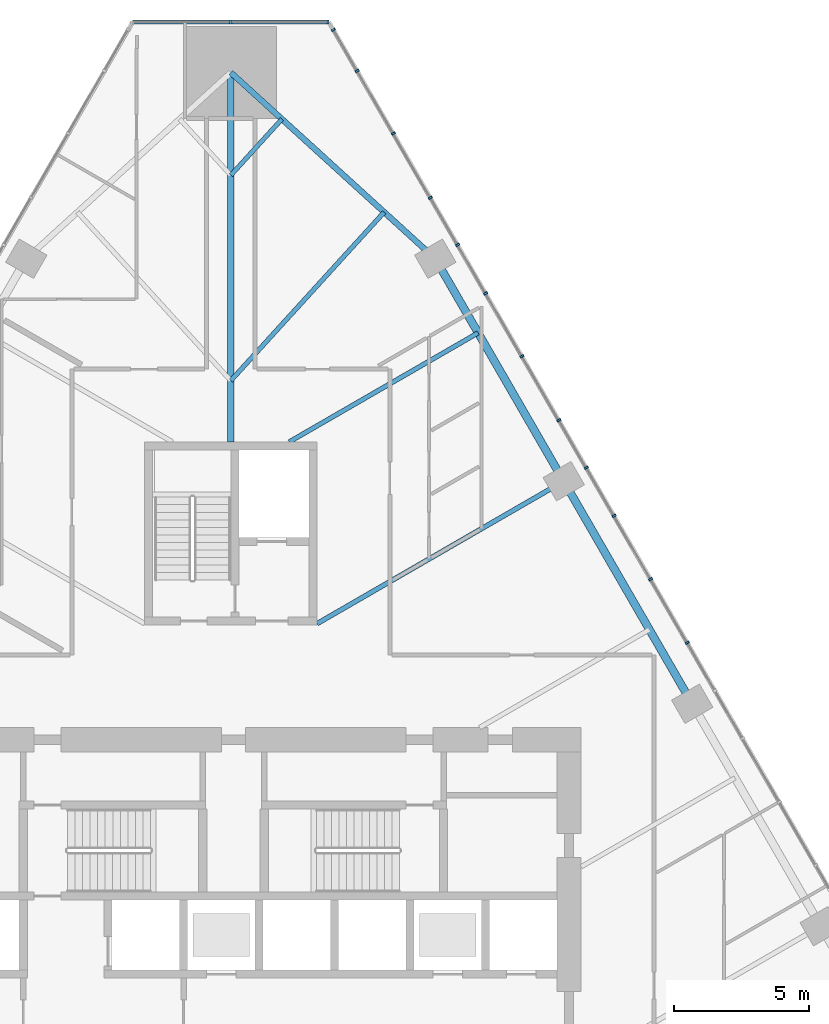
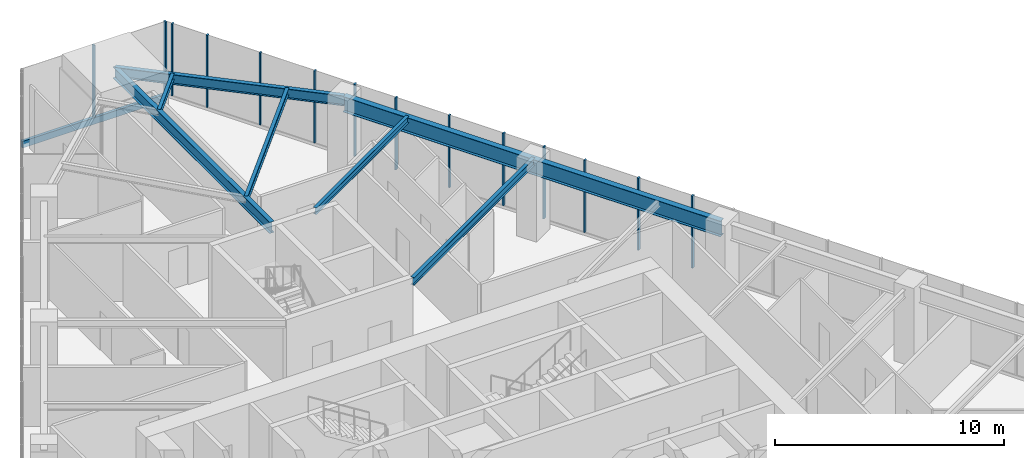
# One storey, part 11 of 26: 15 members, 7 beams, 2 elements without a shape of their own.
"""IFC4 building model written with IfcOpenShell, lengths in metres."""

from ifc_helpers import new_model, si_unit, direction, frame, origin, origin_2d, place, context, subcontext, project, spatial, rectangle, i_section, extrude, material, layer, layer_set, material_profile, profile_set, type_object, element, aggregate, save


model = new_model("IFC4")

# Units and contexts
model_context = context("Model", 3, precision=1e-05, world=origin(), true_north=direction((0.0, 1.0)))
body_context = subcontext(model_context, "Body", "Model", "MODEL_VIEW")
ifc_project = project(units=[si_unit("LENGTHUNIT", "METRE"), si_unit("AREAUNIT", "SQUARE_METRE"), si_unit("VOLUMEUNIT", "CUBIC_METRE"), si_unit("PLANEANGLEUNIT", "RADIAN"), si_unit("MASSUNIT", "GRAM", prefix="KILO")], contexts=[model_context])

# Site, building, storey
site_placement = place(None, origin())
site = spatial("IfcSite", under=ifc_project, at=site_placement, CompositionType="ELEMENT")
building_placement = place(site_placement, origin())
building = spatial("IfcBuilding", under=site, at=building_placement, Name="Firuza Gate Tower and Library", CompositionType="ELEMENT")
storey_placement = place(building_placement, frame((0.0, 0.0, 65.199951171875)))
storey = spatial("IfcBuildingStorey", under=building, at=storey_placement, Name="L14", CompositionType="ELEMENT", Elevation=65.199951171875)

# Curtain wall, members
ifc_material_1 = material(Name="Aluminium 6063-T6", Category="aluminium")
ifc_layer_1 = layer(ifc_material_1, 0.14990234375)
ifc_layer_set_1 = layer_set([ifc_layer_1], Name="Unitised curtain wall, offices")
curtain_wall_type_1 = type_object("IfcCurtainWallType", Name="Unitised curtain wall, offices", PredefinedType="NOTDEFINED", material=ifc_layer_set_1)
placement = place(storey_placement, origin())
curtain_wall_1 = element("IfcCurtainWall", 1, at=placement, inside=storey, type_object=curtain_wall_type_1, Name="CW1 L14 E face", PredefinedType="NOTDEFINED")
ifc_material_2 = material(Name="Aluminium 6063-T6", Category="aluminium")
ifc_material_profile_1 = material_profile(ifc_material_2, rectangle(XDim=0.14990234375, YDim=0.080078125, at=origin_2d()))
ifc_profile_set_1 = profile_set([ifc_material_profile_1], Name="Aluminium 6063-T6")
member_type_1 = type_object("IfcMemberType", Name="Curtain wall mullion 80x150", PredefinedType="MULLION", material=ifc_profile_set_1)
member_1_placement = place(storey_placement, frame((90.579345703125, 89.5078125, 0.150146484375), z_axis=(0.0, 0.0, 1.0), x_axis=(-0.866025403784, -0.5, 0.0)))
member_1 = element("IfcMember", 2, at=member_1_placement, type_object=member_type_1, Name="Mullion", PredefinedType="MULLION", context=body_context, shape_type="SweptSolid", body=[
    extrude(rectangle(XDim=0.14990234375, YDim=0.080078125, at=origin_2d()), origin(), (0.0, 0.0, 1.0), 3.849853515625),
])
member_2_placement = place(storey_placement, frame((88.192138671875, 93.642578125, 0.150146484375), z_axis=(0.0, 0.0, 1.0), x_axis=(-0.866025403784, -0.5, 0.0)))
member_2 = element("IfcMember", 3, at=member_2_placement, type_object=member_type_1, Name="Mullion", PredefinedType="MULLION", context=body_context, shape_type="SweptSolid", body=[
    extrude(rectangle(XDim=0.14990234375, YDim=0.080078125, at=origin_2d()), origin(), (0.0, 0.0, 1.0), 3.849853515625),
])
member_3_placement = place(storey_placement, frame((85.804931640625, 97.77734375, 0.150146484375), z_axis=(0.0, 0.0, 1.0), x_axis=(-0.866025403784, -0.5, 0.0)))
member_3 = element("IfcMember", 4, at=member_3_placement, type_object=member_type_1, Name="Mullion", PredefinedType="MULLION", context=body_context, shape_type="SweptSolid", body=[
    extrude(rectangle(XDim=0.14990234375, YDim=0.080078125, at=origin_2d()), origin(), (0.0, 0.0, 1.0), 3.849853515625),
])
member_4_placement = place(storey_placement, frame((83.417724609375, 101.912109375, 0.150146484375), z_axis=(0.0, 0.0, 1.0), x_axis=(-0.866025403784, -0.5, 0.0)))
member_4 = element("IfcMember", 5, at=member_4_placement, type_object=member_type_1, Name="Mullion", PredefinedType="MULLION", context=body_context, shape_type="SweptSolid", body=[
    extrude(rectangle(XDim=0.14990234375, YDim=0.080078125, at=origin_2d()), origin(), (0.0, 0.0, 1.0), 3.849853515625),
])
member_5_placement = place(storey_placement, frame((81.030517578125, 106.047119140625, 0.150146484375), z_axis=(0.0, 0.0, 1.0), x_axis=(-0.866025403784, -0.5, 0.0)))
member_5 = element("IfcMember", 6, at=member_5_placement, type_object=member_type_1, Name="Mullion", PredefinedType="MULLION", context=body_context, shape_type="SweptSolid", body=[
    extrude(rectangle(XDim=0.14990234375, YDim=0.080078125, at=origin_2d()), origin(), (0.0, 0.0, 1.0), 3.849853515625),
])
member_6_placement = place(storey_placement, frame((91.94189453125, 87.148193359375, 0.150146484375), z_axis=(0.0, 0.0, 1.0), x_axis=(-0.866025403784, -0.5, 0.0)))
member_6 = element("IfcMember", 7, at=member_6_placement, type_object=member_type_1, Name="Mullion", PredefinedType="MULLION", context=body_context, shape_type="SweptSolid", body=[
    extrude(rectangle(XDim=0.14990234375, YDim=0.080078125, at=origin_2d()), origin(), (0.0, 0.0, 1.0), 3.849853515625),
])
member_7_placement = place(storey_placement, frame((89.224365234375, 91.85498046875, 0.150146484375), z_axis=(0.0, 0.0, 1.0), x_axis=(-0.866025403784, -0.5, 0.0)))
member_7 = element("IfcMember", 8, at=member_7_placement, type_object=member_type_1, Name="Mullion", PredefinedType="MULLION", context=body_context, shape_type="SweptSolid", body=[
    extrude(rectangle(XDim=0.14990234375, YDim=0.080078125, at=origin_2d()), origin(), (0.0, 0.0, 1.0), 3.849853515625),
])
member_8_placement = place(storey_placement, frame((87.174560546875, 95.4052734375, 0.150146484375), z_axis=(0.0, 0.0, 1.0), x_axis=(-0.866025403784, -0.5, 0.0)))
member_8 = element("IfcMember", 9, at=member_8_placement, type_object=member_type_1, Name="Mullion", PredefinedType="MULLION", context=body_context, shape_type="SweptSolid", body=[
    extrude(rectangle(XDim=0.14990234375, YDim=0.080078125, at=origin_2d()), origin(), (0.0, 0.0, 1.0), 3.849853515625),
])
member_9_placement = place(storey_placement, frame((84.45703125, 100.112060546875, 0.150146484375), z_axis=(0.0, 0.0, 1.0), x_axis=(-0.866025403784, -0.5, 0.0)))
member_9 = element("IfcMember", 10, at=member_9_placement, type_object=member_type_1, Name="Mullion", PredefinedType="MULLION", context=body_context, shape_type="SweptSolid", body=[
    extrude(rectangle(XDim=0.14990234375, YDim=0.080078125, at=origin_2d()), origin(), (0.0, 0.0, 1.0), 3.849853515625),
])
member_10_placement = place(storey_placement, frame((82.4072265625, 103.662353515625, 0.150146484375), z_axis=(0.0, 0.0, 1.0), x_axis=(-0.866025403784, -0.5, 0.0)))
member_10 = element("IfcMember", 11, at=member_10_placement, type_object=member_type_1, Name="Mullion", PredefinedType="MULLION", context=body_context, shape_type="SweptSolid", body=[
    extrude(rectangle(XDim=0.14990234375, YDim=0.080078125, at=origin_2d()), origin(), (0.0, 0.0, 1.0), 3.849853515625),
])
member_11_placement = place(storey_placement, frame((79.689697265625, 108.369140625, 0.150146484375), z_axis=(0.0, 0.0, 1.0), x_axis=(-0.866025403784, -0.5, 0.0)))
member_11 = element("IfcMember", 12, at=member_11_placement, type_object=member_type_1, Name="Mullion", PredefinedType="MULLION", context=body_context, shape_type="SweptSolid", body=[
    extrude(rectangle(XDim=0.14990234375, YDim=0.080078125, at=origin_2d()), origin(), (0.0, 0.0, 1.0), 3.849853515625),
])
member_12_placement = place(storey_placement, frame((78.808837890625, 109.89501953125, 0.150146484375), z_axis=(0.0, 0.0, 1.0), x_axis=(-0.866025403784, -0.5, 0.0)))
member_12 = element("IfcMember", 13, at=member_12_placement, type_object=member_type_1, Name="Mullion", PredefinedType="MULLION", context=body_context, shape_type="SweptSolid", body=[
    extrude(rectangle(XDim=0.14990234375, YDim=0.080078125, at=origin_2d()), origin(), (0.0, 0.0, 1.0), 3.849853515625),
])
aggregate(curtain_wall_1, [member_1, member_2, member_3, member_4, member_5, member_6, member_7, member_8, member_9, member_10, member_11, member_12])

ifc_material_3 = material(Name="Aluminium 6063-T6", Category="aluminium")
ifc_layer_2 = layer(ifc_material_3, 0.14990234375)
ifc_layer_set_2 = layer_set([ifc_layer_2], Name="Corner curtain wall, chamfers")
curtain_wall_type_2 = type_object("IfcCurtainWallType", Name="Corner curtain wall, chamfers", PredefinedType="NOTDEFINED", material=ifc_layer_set_2)
curtain_wall_2 = element("IfcCurtainWall", 14, at=placement, inside=storey, type_object=curtain_wall_type_2, Name="CW4 L14 N corner", PredefinedType="NOTDEFINED")
member_13_placement = place(storey_placement, frame((78.603271484375, 110.181884765625, 0.150146484375), z_axis=(0.0, 0.0, 1.0), x_axis=(0.0, -1.0, 0.0)))
member_13 = element("IfcMember", 15, at=member_13_placement, type_object=member_type_1, Name="Mullion", PredefinedType="MULLION", context=body_context, shape_type="SweptSolid", body=[
    extrude(rectangle(XDim=0.14990234375, YDim=0.080078125, at=origin_2d()), origin(), (0.0, 0.0, 1.0), 3.849853515625),
])
member_14_placement = place(storey_placement, frame((75.0, 110.181884765625, 0.150146484375), z_axis=(0.0, 0.0, 1.0), x_axis=(0.0, -1.0, 0.0)))
member_14 = element("IfcMember", 16, at=member_14_placement, type_object=member_type_1, Name="Mullion", PredefinedType="MULLION", context=body_context, shape_type="SweptSolid", body=[
    extrude(rectangle(XDim=0.14990234375, YDim=0.080078125, at=origin_2d()), origin(), (0.0, 0.0, 1.0), 3.849853515625),
])
ifc_material_4 = material(Name="Aluminium 6063-T6", Category="aluminium")
ifc_material_profile_2 = material_profile(ifc_material_4, rectangle(XDim=0.14990234375, YDim=0.35009765625, at=origin_2d()))
ifc_profile_set_2 = profile_set([ifc_material_profile_2], Name="Aluminium 6063-T6")
member_type_2 = type_object("IfcMemberType", Name="Curtain wall transom 350x150", PredefinedType="USERDEFINED", material=ifc_profile_set_2)
member_15_placement = place(storey_placement, frame((78.643310546875, 110.181884765625, -0.02490234375), z_axis=(-1.0, 0.0, 0.0), x_axis=(0.0, -1.0, 0.0)))
member_15 = element("IfcMember", 17, at=member_15_placement, type_object=member_type_2, Name="Transom", ObjectType="TRANSOM", PredefinedType="USERDEFINED", context=body_context, shape_type="SweptSolid", body=[
    extrude(rectangle(XDim=0.14990234375, YDim=0.35009765625, at=origin_2d()), origin(), (0.0, 0.0, 1.0), 7.28662109375),
])
aggregate(curtain_wall_2, [member_13, member_14, member_15])

# Beams
ifc_material_5 = material(Name="Steel S355", Category="steel")
ifc_material_profile_3 = material_profile(ifc_material_5, i_section(OverallWidth=0.1650390625, OverallDepth=0.31005859375, WebThickness=0.005859375, FlangeThickness=0.009765625, at=origin_2d()))
ifc_profile_set_3 = profile_set([ifc_material_profile_3], Name="Steel S355")
beam_type_1 = type_object("IfcBeamType", Name="W310x39 Floor beam", PredefinedType="JOIST", material=ifc_profile_set_3)
beam_1_placement = place(storey_placement, frame((76.89697265625, 106.580078125, 3.844970703125), z_axis=(-0.673146987304, -0.739508710891, 0.0), x_axis=(0.739508710891, -0.673146987304, 0.0)))
element("IfcBeam", 18, at=beam_1_placement, inside=storey, type_object=beam_type_1, Name="Floor beam L14 s61", PredefinedType="JOIST", context=body_context, shape_type="SweptSolid", body=[
    extrude(i_section(OverallWidth=0.1650390625, OverallDepth=0.31005859375, WebThickness=0.005859375, FlangeThickness=0.009765625, at=origin_2d()), origin(), (0.0, 0.0, 1.0), 2.818115234375),
])
ifc_material_6 = material(Name="Steel S355", Category="steel")
ifc_material_profile_4 = material_profile(ifc_material_6, i_section(OverallWidth=0.1708984375, OverallDepth=0.35498046875, WebThickness=0.007080078125, FlangeThickness=0.01171875, at=origin_2d()))
ifc_profile_set_4 = profile_set([ifc_material_profile_4], Name="Steel S355")
beam_type_2 = type_object("IfcBeamType", Name="W360x51 Floor beam", PredefinedType="JOIST", material=ifc_profile_set_4)
beam_2_placement = place(storey_placement, frame((84.177001953125, 98.6474609375, 3.822509765625), z_axis=(-0.8660258691, -0.499999194049, 0.0), x_axis=(0.499999194049, -0.8660258691, 0.0)))
element("IfcBeam", 19, at=beam_2_placement, inside=storey, type_object=beam_type_2, Name="Floor beam L14 s55", PredefinedType="JOIST", context=body_context, shape_type="SweptSolid", body=[
    extrude(i_section(OverallWidth=0.1708984375, OverallDepth=0.35498046875, WebThickness=0.007080078125, FlangeThickness=0.01171875, at=origin_2d()), origin(), (0.0, 0.0, 1.0), 8.0947265625),
])
beam_3_placement = place(storey_placement, frame((80.69091796875, 103.12646484375, 3.822509765625), z_axis=(-0.673161362913, -0.739495625059, 0.0), x_axis=(0.739495625059, -0.673161362913, 0.0)))
element("IfcBeam", 20, at=beam_3_placement, inside=storey, type_object=beam_type_2, Name="Floor beam L14 s60", PredefinedType="JOIST", context=body_context, shape_type="SweptSolid", body=[
    extrude(i_section(OverallWidth=0.1708984375, OverallDepth=0.35498046875, WebThickness=0.007080078125, FlangeThickness=0.01171875, at=origin_2d()), origin(), (0.0, 0.0, 1.0), 8.4541015625),
])
ifc_material_7 = material(Name="Steel S355", Category="steel")
ifc_material_profile_5 = material_profile(ifc_material_7, i_section(OverallWidth=0.177978515625, OverallDepth=0.406982421875, WebThickness=0.0078125, FlangeThickness=0.0126953125, at=origin_2d()))
ifc_profile_set_5 = profile_set([ifc_material_profile_5], Name="Steel S355")
beam_type_3 = type_object("IfcBeamType", Name="W410x60 Floor beam", PredefinedType="JOIST", material=ifc_profile_set_5)
beam_4_placement = place(storey_placement, frame((87.35498046875, 93.142578125, 3.796630859375), z_axis=(-0.866025981243, -0.499998999811, 0.0), x_axis=(0.499998999811, -0.866025981243, 0.0)))
element("IfcBeam", 21, at=beam_4_placement, inside=storey, type_object=beam_type_3, Name="Floor beam L14 s54", PredefinedType="JOIST", context=body_context, shape_type="SweptSolid", body=[
    extrude(i_section(OverallWidth=0.177978515625, OverallDepth=0.406982421875, WebThickness=0.0078125, FlangeThickness=0.0126953125, at=origin_2d()), origin(), (0.0, 0.0, 1.0), 10.5712890625),
])
ifc_material_8 = material(Name="Steel S355", Category="steel")
ifc_material_profile_6 = material_profile(ifc_material_8, i_section(OverallWidth=0.212890625, OverallDepth=0.5390625, WebThickness=0.01171875, FlangeThickness=0.018798828125, at=origin_2d()))
ifc_profile_set_6 = profile_set([ifc_material_profile_6], Name="Steel S355")
beam_type_4 = type_object("IfcBeamType", Name="W530x109 Edge beam", PredefinedType="SPANDREL", material=ifc_profile_set_6)
beam_5_placement = place(storey_placement, frame((82.587890625, 101.399658203125, 3.73046875), z_axis=(-0.739496344773, 0.673160572276, 0.0), x_axis=(-0.673160572276, -0.739496344773, 0.0)))
element("IfcBeam", 22, at=beam_5_placement, inside=storey, type_object=beam_type_4, Name="Edge beam L14 e60", PredefinedType="SPANDREL", context=body_context, shape_type="SweptSolid", body=[
    extrude(i_section(OverallWidth=0.212890625, OverallDepth=0.5390625, WebThickness=0.01171875, FlangeThickness=0.018798828125, at=origin_2d()), origin(), (0.0, 0.0, 1.0), 10.260986328125),
])
ifc_material_9 = material(Name="Steel S355", Category="steel")
ifc_material_profile_7 = material_profile(ifc_material_9, i_section(OverallWidth=0.22802734375, OverallDepth=0.60302734375, WebThickness=0.010498046875, FlangeThickness=0.014892578125, at=origin_2d()))
ifc_profile_set_7 = profile_set([ifc_material_profile_7], Name="Steel S355")
beam_type_5 = type_object("IfcBeamType", Name="W610x101 Girder", PredefinedType="BEAM", material=ifc_profile_set_7)
beam_6_placement = place(storey_placement, frame((75.0, 108.306884765625, 3.698486328125), z_axis=(0.0, -1.0, 0.0), x_axis=(1.0, 0.0, 0.0)))
element("IfcBeam", 23, at=beam_6_placement, inside=storey, type_object=beam_type_5, Name="Girder L14 gN", PredefinedType="BEAM", context=body_context, shape_type="SweptSolid", body=[
    extrude(i_section(OverallWidth=0.22802734375, OverallDepth=0.60302734375, WebThickness=0.010498046875, FlangeThickness=0.014892578125, at=origin_2d()), origin(), (0.0, 0.0, 1.0), 13.706787109375),
])
ifc_material_10 = material(Name="Steel S355", Category="steel")
ifc_material_profile_8 = material_profile(ifc_material_10, i_section(OverallWidth=0.2919921875, OverallDepth=0.8349609375, WebThickness=0.013916015625, FlangeThickness=0.018798828125, at=origin_2d()))
ifc_profile_set_8 = profile_set([ifc_material_profile_8], Name="Steel S355")
beam_type_6 = type_object("IfcBeamType", Name="W840x176 Edge beam", PredefinedType="SPANDREL", material=ifc_profile_set_8)
beam_7_placement = place(storey_placement, frame((92.122314453125, 84.885498046875, 3.58251953125), z_axis=(-0.499998781384, 0.866026107351, 0.0), x_axis=(-0.866026107351, -0.499998781384, 0.0)))
element("IfcBeam", 24, at=beam_7_placement, inside=storey, type_object=beam_type_6, Name="Edge beam L14 e52", PredefinedType="SPANDREL", context=body_context, shape_type="SweptSolid", body=[
    extrude(i_section(OverallWidth=0.2919921875, OverallDepth=0.8349609375, WebThickness=0.013916015625, FlangeThickness=0.018798828125, at=origin_2d()), origin(), (0.0, 0.0, 1.0), 19.06884765625),
])

save(model, "model.ifc")
